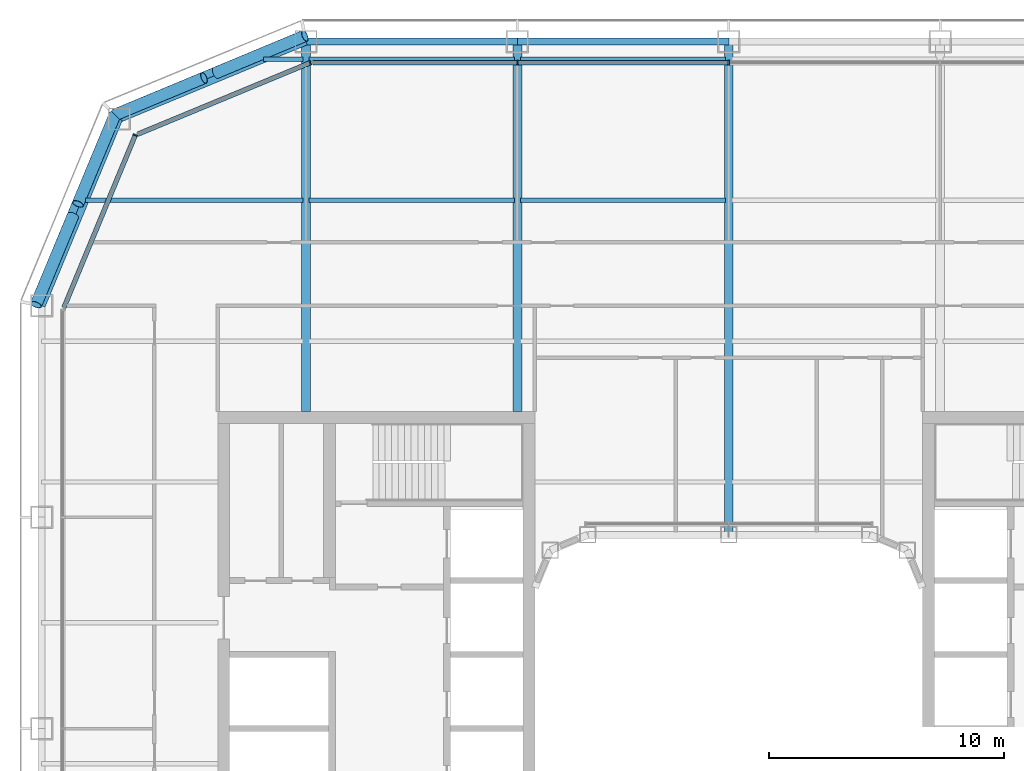
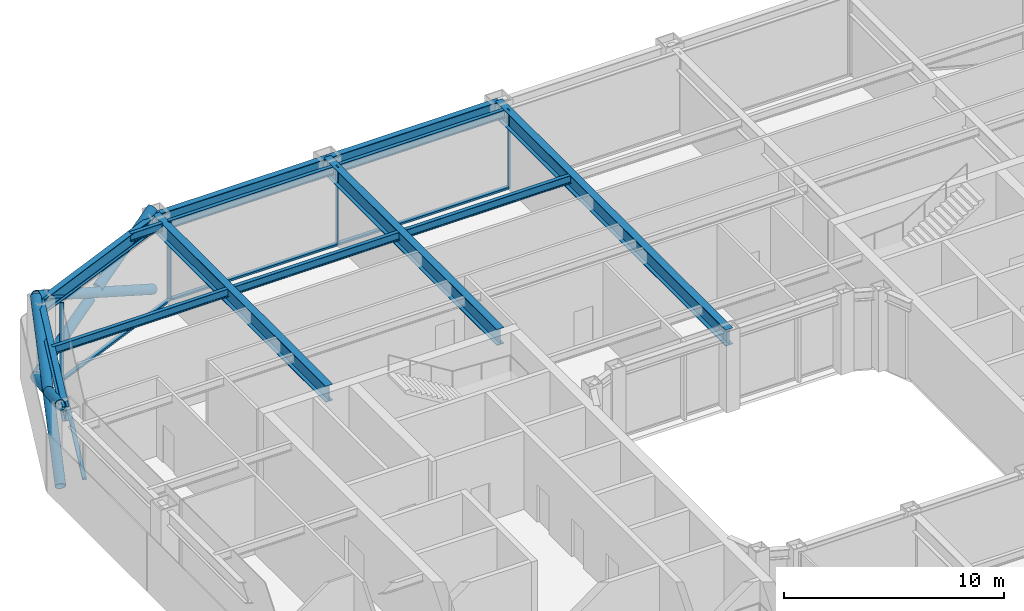
# One storey, part 7 of 23: 14 members, 13 beams, 3 elements without a shape of their own.
"""IFC4 building model written with IfcOpenShell, lengths in metres."""

from ifc_helpers import new_model, si_unit, direction, frame, origin, origin_2d, place, context, subcontext, project, spatial, rectangle, hollow_circle, i_section, extrude, material, layer, layer_set, material_profile, profile_set, type_object, element, aggregate, save


model = new_model("IFC4")

# Units and contexts
model_context = context("Model", 3, precision=1e-05, world=origin(), true_north=direction((0.0, 1.0)))
body_context = subcontext(model_context, "Body", "Model", "MODEL_VIEW")
ifc_project = project(units=[si_unit("LENGTHUNIT", "METRE"), si_unit("AREAUNIT", "SQUARE_METRE"), si_unit("VOLUMEUNIT", "CUBIC_METRE"), si_unit("PLANEANGLEUNIT", "RADIAN"), si_unit("MASSUNIT", "GRAM", prefix="KILO")], contexts=[model_context])

# Site, building, storey
site_placement = place(None, origin())
site = spatial("IfcSite", under=ifc_project, at=site_placement, CompositionType="ELEMENT")
building_placement = place(site_placement, origin())
building = spatial("IfcBuilding", under=site, at=building_placement, Name="Siwar Civic Tower", CompositionType="ELEMENT")
storey_placement = place(building_placement, frame((0.0, 0.0, 127.199951171875)))
storey = spatial("IfcBuildingStorey", under=building, at=storey_placement, Name="L27", CompositionType="ELEMENT", Elevation=127.199951171875)

# Curtain wall, members
ifc_material_1 = material(Name="Aluminium and glass", Category="aluminium")
ifc_layer_1 = layer(ifc_material_1, 0.199951171875)
ifc_layer_set_1 = layer_set([ifc_layer_1], Name="Aluminium and glass")
curtain_wall_type_1 = type_object("IfcCurtainWallType", Name="ENV-CW-B", PredefinedType="NOTDEFINED", material=ifc_layer_set_1)
curtain_wall_1_placement = place(storey_placement, origin())
curtain_wall_1 = element("IfcCurtainWall", 1, at=curtain_wall_1_placement, inside=storey, type_object=curtain_wall_type_1, Name="Curtain wall B N", PredefinedType="NOTDEFINED")
ifc_material_2 = material(Name="Aluminium 6063-T6", Category="aluminium")
ifc_material_profile_1 = material_profile(ifc_material_2, rectangle(XDim=0.199951171875, YDim=0.06494140625, at=origin_2d()), Name="AL 200x65")
ifc_profile_set_1 = profile_set([ifc_material_profile_1], Name="Aluminium 6063-T6")
member_type_1 = type_object("IfcMemberType", Name="ENV-MULLION-B", PredefinedType="MULLION", material=ifc_profile_set_1)
member_1_placement = place(storey_placement, frame((0.0, 28.35009765625, 0.0), z_axis=(0.0, 0.0, 1.0), x_axis=(0.0, -1.0, 0.0)))
member_1 = element("IfcMember", 2, at=member_1_placement, type_object=member_type_1, Name="Mullion B N 3", PredefinedType="MULLION", context=body_context, shape_type="SweptSolid", body=[
    extrude(rectangle(XDim=0.199951171875, YDim=0.06494140625, at=origin_2d()), origin(), (0.0, 0.0, 1.0), 4.35009765625),
])
member_2_placement = place(storey_placement, frame((-9.0, 28.35009765625, 0.0), z_axis=(0.0, 0.0, 1.0), x_axis=(0.0, -1.0, 0.0)))
member_2 = element("IfcMember", 3, at=member_2_placement, type_object=member_type_1, Name="Mullion B N 4", PredefinedType="MULLION", context=body_context, shape_type="SweptSolid", body=[
    extrude(rectangle(XDim=0.199951171875, YDim=0.06494140625, at=origin_2d()), origin(), (0.0, 0.0, 1.0), 4.35009765625),
])

# Curtain wall, member
ifc_material_3 = material(Name="Aluminium clad insulated panel", Category="aluminium")
ifc_layer_2 = layer(ifc_material_3, 0.199951171875)
ifc_layer_set_2 = layer_set([ifc_layer_2], Name="Aluminium clad insulated panel")
curtain_wall_type_2 = type_object("IfcCurtainWallType", Name="ENV-CW-BX", PredefinedType="NOTDEFINED", material=ifc_layer_set_2)
curtain_wall_2_placement = place(storey_placement, origin())
curtain_wall_2 = element("IfcCurtainWall", 4, at=curtain_wall_2_placement, inside=storey, type_object=curtain_wall_type_2, Name="Curtain wall B NW1", PredefinedType="NOTDEFINED")
member_3_placement = place(storey_placement, frame((-17.821044921875, 28.35009765625, 0.0), z_axis=(0.0, 0.0, 1.0), x_axis=(0.382683432365, -0.923879532511, 0.0)))
member_3 = element("IfcMember", 5, at=member_3_placement, type_object=member_type_1, Name="Mullion B NW1 1", PredefinedType="MULLION", context=body_context, shape_type="SweptSolid", body=[
    extrude(rectangle(XDim=0.199951171875, YDim=0.06494140625, at=origin_2d()), origin(), (0.0, 0.0, 1.0), 4.35009765625),
])

curtain_wall_3_placement = place(storey_placement, origin())
curtain_wall_3 = element("IfcCurtainWall", 6, at=curtain_wall_3_placement, inside=storey, type_object=curtain_wall_type_2, Name="Curtain wall B NW2", PredefinedType="NOTDEFINED")
member_4_placement = place(storey_placement, frame((-25.26611328125, 25.26611328125, 0.0), z_axis=(0.0, 0.0, 1.0), x_axis=(0.923879532511, -0.382683432365, 0.0)))
member_4 = element("IfcMember", 7, at=member_4_placement, type_object=member_type_1, Name="Mullion B NW2 1", PredefinedType="MULLION", context=body_context, shape_type="SweptSolid", body=[
    extrude(rectangle(XDim=0.199951171875, YDim=0.06494140625, at=origin_2d()), origin(), (0.0, 0.0, 1.0), 4.35009765625),
])

# Member
ifc_material_4 = material(Name="Aluminium 6063-T6", Category="aluminium")
ifc_material_profile_2 = material_profile(ifc_material_4, rectangle(XDim=0.199951171875, YDim=0.110107421875, at=origin_2d()), Name="AL 200x110")
ifc_profile_set_2 = profile_set([ifc_material_profile_2], Name="Aluminium 6063-T6")
member_type_2 = type_object("IfcMemberType", Name="ENV-TRANSOM-B", PredefinedType="USERDEFINED", material=ifc_profile_set_2)
member_5_placement = place(storey_placement, frame((-0.032470703125, 28.35009765625, 0.054931640625), z_axis=(-1.0, 0.0, 0.0), x_axis=(0.0, -1.0, 0.0)))
member_5 = element("IfcMember", 8, at=member_5_placement, type_object=member_type_2, Name="Transom B N 3", ObjectType="TRANSOM", PredefinedType="USERDEFINED", context=body_context, shape_type="SweptSolid", body=[
    extrude(rectangle(XDim=0.199951171875, YDim=0.110107421875, at=origin_2d()), origin(), (0.0, 0.0, 1.0), 8.93505859375),
])

member_6_placement = place(storey_placement, frame((-9.032470703125, 28.35009765625, 0.054931640625), z_axis=(-1.0, 0.0, 0.0), x_axis=(0.0, -1.0, 0.0)))
member_6 = element("IfcMember", 9, at=member_6_placement, type_object=member_type_2, Name="Transom B N 4", ObjectType="TRANSOM", PredefinedType="USERDEFINED", context=body_context, shape_type="SweptSolid", body=[
    extrude(rectangle(XDim=0.199951171875, YDim=0.110107421875, at=origin_2d()), origin(), (0.0, 0.0, 1.0), 8.6748046875),
])

aggregate(curtain_wall_1, [member_1, member_2, member_5, member_6])

member_7_placement = place(storey_placement, frame((-17.85107421875, 28.337646484375, 0.054931640625), z_axis=(-0.92387279587, -0.382699695651, 0.0), x_axis=(0.382699695651, -0.92387279587, 0.0)))
member_7 = element("IfcMember", 10, at=member_7_placement, type_object=member_type_2, Name="Transom B NW1 1", ObjectType="TRANSOM", PredefinedType="USERDEFINED", context=body_context, shape_type="SweptSolid", body=[
    extrude(rectangle(XDim=0.199951171875, YDim=0.110107421875, at=origin_2d()), origin(), (0.0, 0.0, 1.0), 7.912353515625),
])

aggregate(curtain_wall_2, [member_3, member_7])

member_8_placement = place(storey_placement, frame((-25.278564453125, 25.236083984375, 0.054931640625), z_axis=(-0.382673358825, -0.923883705044, 0.0), x_axis=(0.923883705044, -0.382673358825, 0.0)))
member_8 = element("IfcMember", 11, at=member_8_placement, type_object=member_type_2, Name="Transom B NW2 1", ObjectType="TRANSOM", PredefinedType="USERDEFINED", context=body_context, shape_type="SweptSolid", body=[
    extrude(rectangle(XDim=0.199951171875, YDim=0.110107421875, at=origin_2d()), origin(), (0.0, 0.0, 1.0), 7.912353515625),
])

aggregate(curtain_wall_3, [member_4, member_8])

# Members
ifc_material_5 = material(Name="Steel S355", Category="steel")
ifc_material_profile_3 = material_profile(ifc_material_5, hollow_circle(Radius=0.25390625, WallThickness=0.02490234375, at=origin_2d()), Name="CHS508x25")
ifc_profile_set_3 = profile_set([ifc_material_profile_3], Name="Steel S355")
member_type_3 = type_object("IfcMemberType", Name="STR-BR-CHS508x25", PredefinedType="BRACE", material=ifc_profile_set_3)
member_9_placement = place(storey_placement, frame((-29.4951171875, 18.048828125, 0.0), z_axis=(0.341671493852, 0.821142553604, 0.457149315816), x_axis=(-0.923264922524, 0.384163874976, 0.0)))
element("IfcMember", 12, at=member_9_placement, inside=storey, type_object=member_type_3, Name="L27/brc/BNW1-6-0-1", PredefinedType="BRACE", context=body_context, shape_type="SweptSolid", body=[
    extrude(hollow_circle(Radius=0.25390625, WallThickness=0.02490234375, at=origin_2d()), origin(), (0.0, 0.0, 1.0), 9.843505859375),
])
member_10_placement = place(storey_placement, frame((-26.1318359375, 26.1318359375, 0.0), z_axis=(-0.341662474736, -0.821143275065, 0.457154760636), x_axis=(0.923268638995, -0.384154943021, 0.0)))
element("IfcMember", 13, at=member_10_placement, inside=storey, type_object=member_type_3, Name="L27/brc/BNW1-6-0-2", PredefinedType="BRACE", context=body_context, shape_type="SweptSolid", body=[
    extrude(hollow_circle(Radius=0.25390625, WallThickness=0.02490234375, at=origin_2d()), origin(), (0.0, 0.0, 1.0), 4.61474609375),
])
member_11_placement = place(storey_placement, frame((-27.91845703125, 21.837890625, 2.390625), z_axis=(-0.34168558233, -0.821145902409, 0.457132770413), x_axis=(0.923259859753, -0.384176042158, 0.0)))
element("IfcMember", 14, at=member_11_placement, inside=storey, type_object=member_type_3, Name="L27/brc/BNW1-6-0-3", PredefinedType="BRACE", context=body_context, shape_type="SweptSolid", body=[
    extrude(hollow_circle(Radius=0.25390625, WallThickness=0.02490234375, at=origin_2d()), origin(), (0.0, 0.0, 1.0), 4.6142578125),
])
member_12_placement = place(storey_placement, frame((-18.048828125, 29.4951171875, 0.0), z_axis=(-0.821142553604, -0.341671493852, 0.457149315816), x_axis=(0.384163874976, -0.923264922524, 0.0)))
element("IfcMember", 15, at=member_12_placement, inside=storey, type_object=member_type_3, Name="L27/brc/BNW1-6-0-0", PredefinedType="BRACE", context=body_context, shape_type="SweptSolid", body=[
    extrude(hollow_circle(Radius=0.25390625, WallThickness=0.02490234375, at=origin_2d()), origin(), (0.0, 0.0, 1.0), 9.843505859375),
])
member_13_placement = place(storey_placement, frame((-26.1318359375, 26.1318359375, 0.0), z_axis=(0.821143275065, 0.341662474736, 0.457154760636), x_axis=(-0.384154943021, 0.923268638995, 0.0)))
element("IfcMember", 16, at=member_13_placement, inside=storey, type_object=member_type_3, Name="L27/brc/BNW1-6-0-4", PredefinedType="BRACE", context=body_context, shape_type="SweptSolid", body=[
    extrude(hollow_circle(Radius=0.25390625, WallThickness=0.02490234375, at=origin_2d()), origin(), (0.0, 0.0, 1.0), 4.61474609375),
])
member_14_placement = place(storey_placement, frame((-21.837890625, 27.91845703125, 2.390625), z_axis=(0.821145902409, 0.34168558233, 0.457132770413), x_axis=(-0.384176042158, 0.923259859753, 0.0)))
element("IfcMember", 17, at=member_14_placement, inside=storey, type_object=member_type_3, Name="L27/brc/BNW1-6-0-5", PredefinedType="BRACE", context=body_context, shape_type="SweptSolid", body=[
    extrude(hollow_circle(Radius=0.25390625, WallThickness=0.02490234375, at=origin_2d()), origin(), (0.0, 0.0, 1.0), 4.6142578125),
])

# Beams
ifc_material_6 = material(Name="Steel S355", Category="steel")
ifc_material_profile_4 = material_profile(ifc_material_6, i_section(OverallWidth=0.18994140625, OverallDepth=0.449951171875, WebThickness=0.009521484375, FlangeThickness=0.0146484375, FilletRadius=0.02099609375, at=origin_2d()), Name="IPE450")
ifc_profile_set_4 = profile_set([ifc_material_profile_4], Name="Steel S355")
beam_type_1 = type_object("IfcBeamType", Name="STR-FB-IPE450", PredefinedType="JOIST", material=ifc_profile_set_4)
beam_1_placement = place(storey_placement, frame((-27.385986328125, 22.5, 4.125), z_axis=(1.0, 0.0, 0.0), x_axis=(0.0, 1.0, 0.0)))
element("IfcBeam", 18, at=beam_1_placement, inside=storey, type_object=beam_type_1, Name="L27/bm/F037", PredefinedType="JOIST", context=body_context, shape_type="SweptSolid", body=[
    extrude(i_section(OverallWidth=0.18994140625, OverallDepth=0.449951171875, WebThickness=0.009521484375, FlangeThickness=0.0146484375, FilletRadius=0.02099609375, at=origin_2d()), origin(), (0.0, 0.0, 1.0), 9.256103515625),
])
for number, where, z_axis, x_axis, name in (
    (19, (-17.8701171875, 22.5, 4.125), (1.0, 0.0, 0.0), (0.0, 1.0, 0.0), "L27/bm/F038"),
    (20, (-8.8701171875, 22.5, 4.125), (1.0, 0.0, 0.0), (0.0, 1.0, 0.0), "L27/bm/F039"),
):
    element("IfcBeam", number, at=place(storey_placement, frame(where, z_axis=z_axis, x_axis=x_axis)), inside=storey, type_object=beam_type_1, Name=name, PredefinedType="JOIST", context=body_context, shape_type="SweptSolid", body=[
        extrude(i_section(OverallWidth=0.18994140625, OverallDepth=0.449951171875, WebThickness=0.009521484375, FlangeThickness=0.0146484375, FilletRadius=0.02099609375, at=origin_2d()), origin(), (0.0, 0.0, 1.0), 8.740234375),
    ])
beam_2_placement = place(storey_placement, frame((-19.810546875, 28.5, 4.125), z_axis=(1.0, 0.0, 0.0), x_axis=(0.0, 1.0, 0.0)))
element("IfcBeam", 21, at=beam_2_placement, inside=storey, type_object=beam_type_1, Name="L27/bm/F043", PredefinedType="JOIST", context=body_context, shape_type="SweptSolid", body=[
    extrude(i_section(OverallWidth=0.18994140625, OverallDepth=0.449951171875, WebThickness=0.009521484375, FlangeThickness=0.0146484375, FilletRadius=0.02099609375, at=origin_2d()), origin(), (0.0, 0.0, 1.0), 1.6806640625),
])
for number, where, z_axis, x_axis, name in (
    (22, (-17.8701171875, 28.5, 4.125), (1.0, 0.0, 0.0), (0.0, 1.0, 0.0), "L27/bm/F044"),
    (23, (-8.8701171875, 28.5, 4.125), (1.0, 0.0, 0.0), (0.0, 1.0, 0.0), "L27/bm/F045"),
):
    element("IfcBeam", number, at=place(storey_placement, frame(where, z_axis=z_axis, x_axis=x_axis)), inside=storey, type_object=beam_type_1, Name=name, PredefinedType="JOIST", context=body_context, shape_type="SweptSolid", body=[
        extrude(i_section(OverallWidth=0.18994140625, OverallDepth=0.449951171875, WebThickness=0.009521484375, FlangeThickness=0.0146484375, FilletRadius=0.02099609375, at=origin_2d()), origin(), (0.0, 0.0, 1.0), 8.740234375),
    ])
ifc_material_7 = material(Name="Steel S355", Category="steel")
ifc_material_profile_5 = material_profile(ifc_material_7, i_section(OverallWidth=0.3798828125, OverallDepth=0.89990234375, WebThickness=0.01611328125, FlangeThickness=0.035888671875, at=origin_2d()), Name="PG900x380x16x36")
ifc_profile_set_5 = profile_set([ifc_material_profile_5], Name="Steel S355")
beam_type_2 = type_object("IfcBeamType", Name="STR-PG-PG900x380x16x36", PredefinedType="BEAM", material=ifc_profile_set_5)
for number, where, z_axis, x_axis, name in (
    (24, (-18.0, 13.5, 3.900146484375), (0.0, 1.0, 0.0), (-1.0, 0.0, 0.0), "L27/bm/G02"),
    (25, (-9.0, 13.5, 3.900146484375), (0.0, 1.0, 0.0), (-1.0, 0.0, 0.0), "L27/bm/G04"),
):
    element("IfcBeam", number, at=place(storey_placement, frame(where, z_axis=z_axis, x_axis=x_axis)), inside=storey, type_object=beam_type_2, Name=name, PredefinedType="BEAM", context=body_context, shape_type="SweptSolid", body=[
        extrude(i_section(OverallWidth=0.3798828125, OverallDepth=0.89990234375, WebThickness=0.01611328125, FlangeThickness=0.035888671875, at=origin_2d()), origin(), (0.0, 0.0, 1.0), 15.75),
    ])
beam_3_placement = place(storey_placement, frame((0.0, 8.25, 3.900146484375), z_axis=(0.0, 1.0, 0.0), x_axis=(-1.0, 0.0, 0.0)))
element("IfcBeam", 26, at=beam_3_placement, inside=storey, type_object=beam_type_2, Name="L27/bm/G06", PredefinedType="BEAM", context=body_context, shape_type="SweptSolid", body=[
    extrude(i_section(OverallWidth=0.3798828125, OverallDepth=0.89990234375, WebThickness=0.01611328125, FlangeThickness=0.035888671875, at=origin_2d()), origin(), (0.0, 0.0, 1.0), 21.0),
])
ifc_material_8 = material(Name="Steel S355", Category="steel")
ifc_material_profile_6 = material_profile(ifc_material_8, i_section(OverallWidth=0.300048828125, OverallDepth=0.800048828125, WebThickness=0.017578125, FlangeThickness=0.032958984375, FilletRadius=0.030029296875, at=origin_2d()), Name="HEB800")
ifc_profile_set_6 = profile_set([ifc_material_profile_6], Name="Steel S355")
beam_type_3 = type_object("IfcBeamType", Name="STR-SB-HEB800", PredefinedType="BEAM", material=ifc_profile_set_6)
for number, where, z_axis, x_axis, name in (
    (27, (0.0, 29.25, 3.949951171875), (-1.0, 0.0, 0.0), (0.0, -1.0, 0.0), "L27/bm/SN-2"),
    (28, (-9.0, 29.25, 3.949951171875), (-1.0, 0.0, 0.0), (0.0, -1.0, 0.0), "L27/bm/SN-3"),
):
    element("IfcBeam", number, at=place(storey_placement, frame(where, z_axis=z_axis, x_axis=x_axis)), inside=storey, type_object=beam_type_3, Name=name, PredefinedType="BEAM", context=body_context, shape_type="SweptSolid", body=[
        extrude(i_section(OverallWidth=0.300048828125, OverallDepth=0.800048828125, WebThickness=0.017578125, FlangeThickness=0.032958984375, FilletRadius=0.030029296875, at=origin_2d()), origin(), (0.0, 0.0, 1.0), 9.0),
    ])
for number, where, z_axis, x_axis, name in (
    (29, (-18.0, 29.25, 3.949951171875), (-0.923872720536, -0.382699877515, 0.0), (0.382699877515, -0.923872720536, 0.0), "L27/bm/SNW1-0"),
    (30, (-25.954833984375, 25.954833984375, 3.949951171875), (-0.382699877515, -0.923872720536, 0.0), (0.923872720536, -0.382699877515, 0.0), "L27/bm/SNW2-0"),
):
    element("IfcBeam", number, at=place(storey_placement, frame(where, z_axis=z_axis, x_axis=x_axis)), inside=storey, type_object=beam_type_3, Name=name, PredefinedType="BEAM", context=body_context, shape_type="SweptSolid", body=[
        extrude(i_section(OverallWidth=0.300048828125, OverallDepth=0.800048828125, WebThickness=0.017578125, FlangeThickness=0.032958984375, FilletRadius=0.030029296875, at=origin_2d()), origin(), (0.0, 0.0, 1.0), 8.6103515625),
    ])

save(model, "model.ifc")
